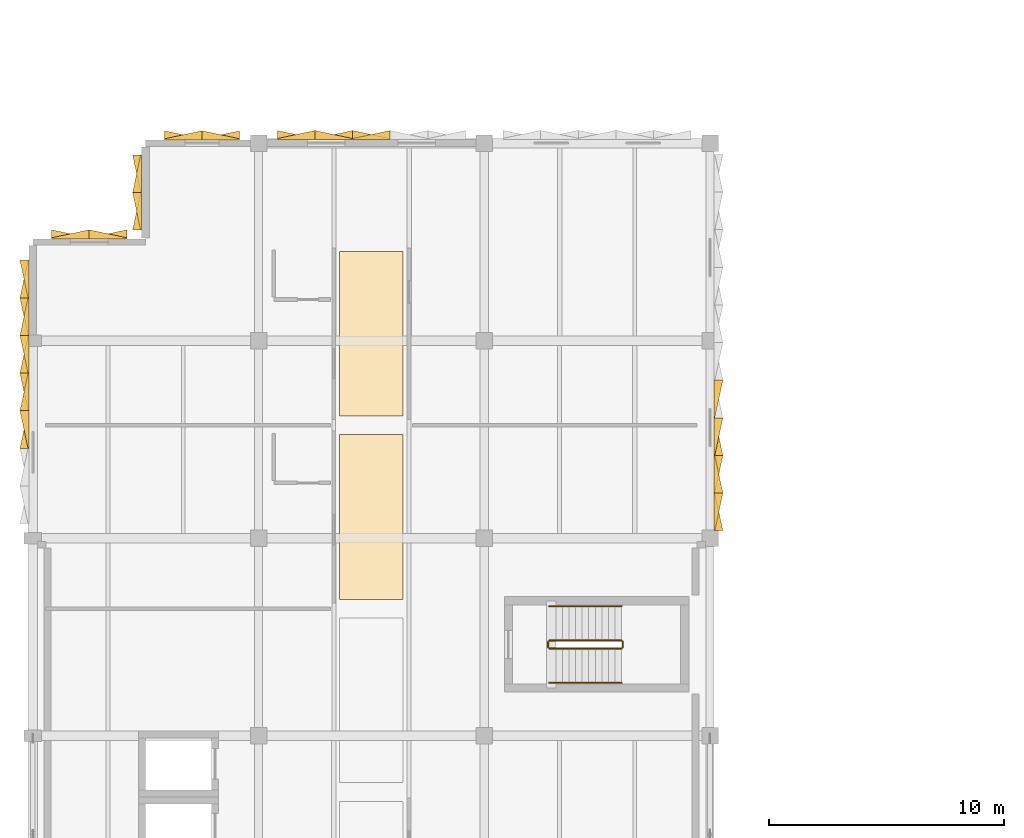
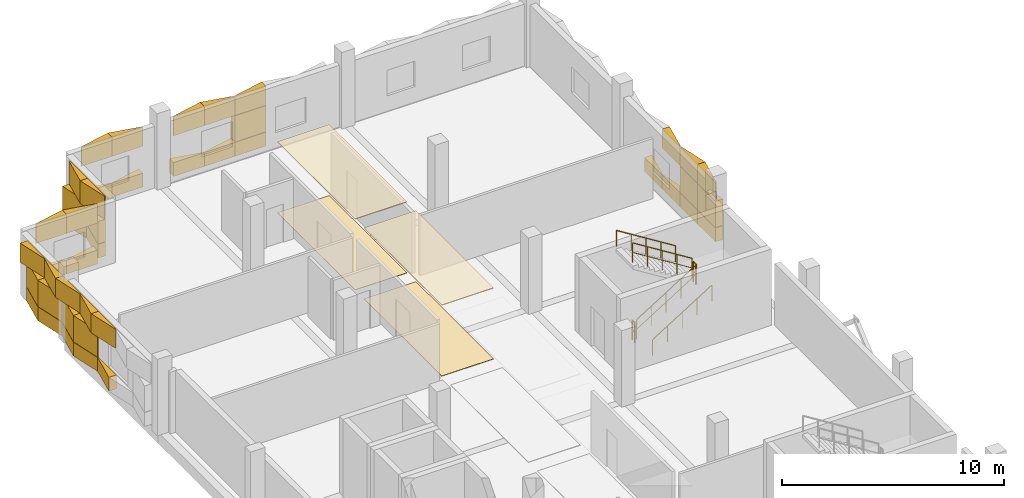
# One storey, part 19 of 24: 48 coverings, 6 railings.
"""IFC4 building model written with IfcOpenShell, lengths in metres."""

from ifc_helpers import new_model, si_unit, direction, frame, origin, origin_2d, place, context, subcontext, project, spatial, polyline, circle, outline, extrude, material, layer, layer_set, type_object, element, save


model = new_model("IFC4")

# Units and contexts
model_context = context("Model", 3, precision=1e-05, world=origin(), true_north=direction((0.0, 1.0)))
body_context = subcontext(model_context, "Body", "Model", "MODEL_VIEW")
ifc_project = project(units=[si_unit("LENGTHUNIT", "METRE"), si_unit("AREAUNIT", "SQUARE_METRE"), si_unit("VOLUMEUNIT", "CUBIC_METRE"), si_unit("PLANEANGLEUNIT", "RADIAN"), si_unit("MASSUNIT", "GRAM", prefix="KILO")], contexts=[model_context])

# Site, building, storey
site_placement = place(None, origin())
site = spatial("IfcSite", under=ifc_project, at=site_placement, CompositionType="ELEMENT")
building_placement = place(site_placement, origin())
building = spatial("IfcBuilding", under=site, at=building_placement, Name="Oolite Switchyard Hospital", CompositionType="ELEMENT")
storey_placement = place(building_placement, frame((0.0, 0.0, 22.0)))
storey = spatial("IfcBuildingStorey", under=building, at=storey_placement, Name="L05", CompositionType="ELEMENT", Elevation=22.0)

# Coverings
ifc_material_1 = material(Name="Hygienic washable mineral-fibre acoustic ceiling")
ifc_layer_1 = layer(ifc_material_1, 0.0400390625)
ifc_layer_set_1 = layer_set([ifc_layer_1], Name="COV-CEIL-AC60")
covering_type_1 = type_object("IfcCoveringType", Name="COV-CEIL-AC60", PredefinedType="CEILING", material=ifc_layer_set_1)
covering_1_placement = place(storey_placement, frame((0.0, 0.0, 3.885009765625)))
element("IfcCovering", 1, at=covering_1_placement, inside=storey, type_object=covering_type_1, Name="L05 West Cardiac Telemetry Ward Corridor Ceiling 4", PredefinedType="CEILING", context=body_context, shape_type="SweptSolid", body=[
    extrude(outline(polyline([(13.050048828125, 64.60009765625), (15.75, 64.60009765625), (15.75, 71.60009765625), (13.050048828125, 71.60009765625), (13.050048828125, 64.60009765625)])), origin(), (0.0, 0.0, 1.0), 0.0400390625),
])
covering_2_placement = place(storey_placement, frame((0.0, 0.0, 3.885009765625)))
element("IfcCovering", 2, at=covering_2_placement, inside=storey, type_object=covering_type_1, Name="L05 West Cardiac Telemetry Ward Corridor Ceiling 5", PredefinedType="CEILING", context=body_context, shape_type="SweptSolid", body=[
    extrude(outline(polyline([(13.050048828125, 72.39990234375), (15.75, 72.39990234375), (15.75, 79.39990234375), (13.050048828125, 79.39990234375), (13.050048828125, 72.39990234375)])), origin(), (0.0, 0.0, 1.0), 0.0400390625),
])
ifc_material_2 = material(Name="Precast oolitic limestone architectural concrete C40/50", Category="masonry")
covering_type_2 = type_object("IfcCoveringType", Name="COV-CHEV-WARM", PredefinedType="CLADDING", material=ifc_material_2)
covering_3_placement = place(storey_placement, frame((0.800048828125, 79.929931640625, 0.050048828125), z_axis=(0.0, 0.0, 1.0), x_axis=(1.0, 0.0, 0.0)))
element("IfcCovering", 3, at=covering_3_placement, inside=storey, type_object=covering_type_2, Name="L05 Chevron Precast Oolite Panel 1069", PredefinedType="CLADDING", context=body_context, shape_type="SweptSolid", body=[
    extrude(outline(polyline([(0.0, 0.0), (1.599853515625, 0.0), (1.599853515625, 0.044921875), (0.0, 0.385009765625), (0.0, 0.0)])), origin(), (0.0, 0.0, 1.0), 0.760009765625),
])
covering_4_placement = place(storey_placement, frame((0.800048828125, 79.929931640625, 2.2900390625), z_axis=(0.0, 0.0, 1.0), x_axis=(1.0, 0.0, 0.0)))
element("IfcCovering", 4, at=covering_4_placement, inside=storey, type_object=covering_type_2, Name="L05 Chevron Precast Oolite Panel 1070", PredefinedType="CLADDING", context=body_context, shape_type="SweptSolid", body=[
    extrude(outline(polyline([(0.0, 0.0), (1.599853515625, 0.0), (1.599853515625, 0.385009765625), (0.0, 0.044921875), (0.0, 0.0)])), origin(), (0.0, 0.0, 1.0), 1.050048828125),
])
covering_5_placement = place(storey_placement, frame((2.39990234375, 79.929931640625, 0.050048828125), z_axis=(0.0, 0.0, 1.0), x_axis=(1.0, 0.0, 0.0)))
element("IfcCovering", 5, at=covering_5_placement, inside=storey, type_object=covering_type_2, Name="L05 Chevron Precast Oolite Panel 1071", PredefinedType="CLADDING", context=body_context, shape_type="SweptSolid", body=[
    extrude(outline(polyline([(0.0, 0.0), (1.60009765625, 0.0), (1.60009765625, 0.385009765625), (0.0, 0.044921875), (0.0, 0.0)])), origin(), (0.0, 0.0, 1.0), 0.760009765625),
])
covering_6_placement = place(storey_placement, frame((2.39990234375, 79.929931640625, 2.2900390625), z_axis=(0.0, 0.0, 1.0), x_axis=(1.0, 0.0, 0.0)))
element("IfcCovering", 6, at=covering_6_placement, inside=storey, type_object=covering_type_2, Name="L05 Chevron Precast Oolite Panel 1072", PredefinedType="CLADDING", context=body_context, shape_type="SweptSolid", body=[
    extrude(outline(polyline([(0.0, 0.0), (1.60009765625, 0.0), (1.60009765625, 0.044921875), (0.0, 0.385009765625), (0.0, 0.0)])), origin(), (0.0, 0.0, 1.0), 1.050048828125),
])
covering_7_placement = place(storey_placement, frame((5.60009765625, 84.139892578125, 0.050048828125), z_axis=(0.0, 0.0, 1.0), x_axis=(1.0, 0.0, 0.0)))
element("IfcCovering", 7, at=covering_7_placement, inside=storey, type_object=covering_type_2, Name="L05 Chevron Precast Oolite Panel 1073", PredefinedType="CLADDING", context=body_context, shape_type="SweptSolid", body=[
    extrude(outline(polyline([(0.0, 0.0), (1.599853515625, 0.0), (1.599853515625, 0.044921875), (0.0, 0.385009765625), (0.0, 0.0)])), origin(), (0.0, 0.0, 1.0), 0.760009765625),
])
covering_8_placement = place(storey_placement, frame((5.60009765625, 84.139892578125, 2.2900390625), z_axis=(0.0, 0.0, 1.0), x_axis=(1.0, 0.0, 0.0)))
element("IfcCovering", 8, at=covering_8_placement, inside=storey, type_object=covering_type_2, Name="L05 Chevron Precast Oolite Panel 1074", PredefinedType="CLADDING", context=body_context, shape_type="SweptSolid", body=[
    extrude(outline(polyline([(0.0, 0.0), (1.599853515625, 0.0), (1.599853515625, 0.385009765625), (0.0, 0.044921875), (0.0, 0.0)])), origin(), (0.0, 0.0, 1.0), 1.050048828125),
])
covering_9_placement = place(storey_placement, frame((7.199951171875, 84.139892578125, 0.050048828125), z_axis=(0.0, 0.0, 1.0), x_axis=(1.0, 0.0, 0.0)))
element("IfcCovering", 9, at=covering_9_placement, inside=storey, type_object=covering_type_2, Name="L05 Chevron Precast Oolite Panel 1075", PredefinedType="CLADDING", context=body_context, shape_type="SweptSolid", body=[
    extrude(outline(polyline([(0.0, 0.0), (1.60009765625, 0.0), (1.60009765625, 0.385009765625), (0.0, 0.044921875), (0.0, 0.0)])), origin(), (0.0, 0.0, 1.0), 0.760009765625),
])
covering_10_placement = place(storey_placement, frame((7.199951171875, 84.139892578125, 2.2900390625), z_axis=(0.0, 0.0, 1.0), x_axis=(1.0, 0.0, 0.0)))
element("IfcCovering", 10, at=covering_10_placement, inside=storey, type_object=covering_type_2, Name="L05 Chevron Precast Oolite Panel 1076", PredefinedType="CLADDING", context=body_context, shape_type="SweptSolid", body=[
    extrude(outline(polyline([(0.0, 0.0), (1.60009765625, 0.0), (1.60009765625, 0.044921875), (0.0, 0.385009765625), (0.0, 0.0)])), origin(), (0.0, 0.0, 1.0), 1.050048828125),
])
covering_11_placement = place(storey_placement, frame((10.39990234375, 84.14990234375, 0.050048828125), z_axis=(0.0, 0.0, 1.0), x_axis=(1.0, 0.0, 0.0)))
element("IfcCovering", 11, at=covering_11_placement, inside=storey, type_object=covering_type_2, Name="L05 Chevron Precast Oolite Panel 1077", PredefinedType="CLADDING", context=body_context, shape_type="SweptSolid", body=[
    extrude(outline(polyline([(0.0, 0.0), (1.60009765625, 0.0), (1.60009765625, 0.044921875), (0.0, 0.385009765625), (0.0, 0.0)])), origin(), (0.0, 0.0, 1.0), 0.760009765625),
])
covering_12_placement = place(storey_placement, frame((10.39990234375, 84.14990234375, 2.2900390625), z_axis=(0.0, 0.0, 1.0), x_axis=(1.0, 0.0, 0.0)))
element("IfcCovering", 12, at=covering_12_placement, inside=storey, type_object=covering_type_2, Name="L05 Chevron Precast Oolite Panel 1078", PredefinedType="CLADDING", context=body_context, shape_type="SweptSolid", body=[
    extrude(outline(polyline([(0.0, 0.0), (1.60009765625, 0.0), (1.60009765625, 0.385009765625), (0.0, 0.044921875), (0.0, 0.0)])), origin(), (0.0, 0.0, 1.0), 1.050048828125),
])
covering_13_placement = place(storey_placement, frame((12.0, 84.14990234375, 0.050048828125), z_axis=(0.0, 0.0, 1.0), x_axis=(1.0, 0.0, 0.0)))
element("IfcCovering", 13, at=covering_13_placement, inside=storey, type_object=covering_type_2, Name="L05 Chevron Precast Oolite Panel 1079", PredefinedType="CLADDING", context=body_context, shape_type="SweptSolid", body=[
    extrude(outline(polyline([(0.0, 0.0), (1.60009765625, 0.0), (1.60009765625, 0.385009765625), (0.0, 0.044921875), (0.0, 0.0)])), origin(), (0.0, 0.0, 1.0), 0.760009765625),
])
covering_14_placement = place(storey_placement, frame((12.0, 84.14990234375, 2.2900390625), z_axis=(0.0, 0.0, 1.0), x_axis=(1.0, 0.0, 0.0)))
element("IfcCovering", 14, at=covering_14_placement, inside=storey, type_object=covering_type_2, Name="L05 Chevron Precast Oolite Panel 1080", PredefinedType="CLADDING", context=body_context, shape_type="SweptSolid", body=[
    extrude(outline(polyline([(0.0, 0.0), (1.60009765625, 0.0), (1.60009765625, 0.044921875), (0.0, 0.385009765625), (0.0, 0.0)])), origin(), (0.0, 0.0, 1.0), 1.050048828125),
])
covering_15_placement = place(storey_placement, frame((13.60009765625, 84.14990234375, 0.050048828125), z_axis=(0.0, 0.0, 1.0), x_axis=(1.0, 0.0, 0.0)))
element("IfcCovering", 15, at=covering_15_placement, inside=storey, type_object=covering_type_2, Name="L05 Chevron Precast Oolite Panel 1081", PredefinedType="CLADDING", context=body_context, shape_type="SweptSolid", body=[
    extrude(outline(polyline([(0.0, 0.0), (1.599853515625, 0.0), (1.599853515625, 0.044921875), (0.0, 0.385009765625), (0.0, 0.0)])), origin(), (0.0, 0.0, 1.0), 0.760009765625),
])
covering_16_placement = place(storey_placement, frame((13.60009765625, 84.14990234375, 2.2900390625), z_axis=(0.0, 0.0, 1.0), x_axis=(1.0, 0.0, 0.0)))
element("IfcCovering", 16, at=covering_16_placement, inside=storey, type_object=covering_type_2, Name="L05 Chevron Precast Oolite Panel 1082", PredefinedType="CLADDING", context=body_context, shape_type="SweptSolid", body=[
    extrude(outline(polyline([(0.0, 0.0), (1.599853515625, 0.0), (1.599853515625, 0.385009765625), (0.0, 0.044921875), (0.0, 0.0)])), origin(), (0.0, 0.0, 1.0), 1.050048828125),
])
covering_17_placement = place(storey_placement, frame((13.60009765625, 84.14990234375, 0.830078125), z_axis=(0.0, 0.0, 1.0), x_axis=(1.0, 0.0, 0.0)))
element("IfcCovering", 17, at=covering_17_placement, inside=storey, type_object=covering_type_2, Name="L05 Chevron Precast Oolite Panel 1083", PredefinedType="CLADDING", context=body_context, shape_type="SweptSolid", body=[
    extrude(outline(polyline([(0.0, 0.0), (1.599853515625, 0.0), (1.599853515625, 0.044921875), (0.0, 0.385009765625), (0.0, 0.0)])), origin(), (0.0, 0.0, 1.0), 1.43994140625),
])
covering_18_placement = place(storey_placement, frame((-0.159912109375, 71.02001953125, 0.050048828125), z_axis=(0.0, 0.0, 1.0), x_axis=(0.0, 1.0, 0.0)))
element("IfcCovering", 18, at=covering_18_placement, inside=storey, type_object=covering_type_2, Name="L05 Chevron Precast Oolite Panel 1244", PredefinedType="CLADDING", context=body_context, shape_type="SweptSolid", body=[
    extrude(outline(polyline([(0.0, 0.0), (1.60009765625, 0.0), (1.60009765625, 0.044921875), (0.0, 0.385009765625), (0.0, 0.0)])), origin(), (0.0, 0.0, 1.0), 0.760009765625),
])
covering_19_placement = place(storey_placement, frame((-0.159912109375, 71.02001953125, 2.2900390625), z_axis=(0.0, 0.0, 1.0), x_axis=(0.0, 1.0, 0.0)))
element("IfcCovering", 19, at=covering_19_placement, inside=storey, type_object=covering_type_2, Name="L05 Chevron Precast Oolite Panel 1245", PredefinedType="CLADDING", context=body_context, shape_type="SweptSolid", body=[
    extrude(outline(polyline([(0.0, 0.0), (1.60009765625, 0.0), (1.60009765625, 0.385009765625), (0.0, 0.044921875), (0.0, 0.0)])), origin(), (0.0, 0.0, 1.0), 1.050048828125),
])
covering_20_placement = place(storey_placement, frame((-0.159912109375, 72.6201171875, 0.050048828125), z_axis=(0.0, 0.0, 1.0), x_axis=(0.0, 1.0, 0.0)))
element("IfcCovering", 20, at=covering_20_placement, inside=storey, type_object=covering_type_2, Name="L05 Chevron Precast Oolite Panel 1246", PredefinedType="CLADDING", context=body_context, shape_type="SweptSolid", body=[
    extrude(outline(polyline([(0.0, 0.0), (1.599853515625, 0.0), (1.599853515625, 0.385009765625), (0.0, 0.044921875), (0.0, 0.0)])), origin(), (0.0, 0.0, 1.0), 0.760009765625),
])
covering_21_placement = place(storey_placement, frame((-0.159912109375, 72.6201171875, 2.2900390625), z_axis=(0.0, 0.0, 1.0), x_axis=(0.0, 1.0, 0.0)))
element("IfcCovering", 21, at=covering_21_placement, inside=storey, type_object=covering_type_2, Name="L05 Chevron Precast Oolite Panel 1247", PredefinedType="CLADDING", context=body_context, shape_type="SweptSolid", body=[
    extrude(outline(polyline([(0.0, 0.0), (1.599853515625, 0.0), (1.599853515625, 0.044921875), (0.0, 0.385009765625), (0.0, 0.0)])), origin(), (0.0, 0.0, 1.0), 1.050048828125),
])
covering_22_placement = place(storey_placement, frame((-0.159912109375, 72.6201171875, 0.830078125), z_axis=(0.0, 0.0, 1.0), x_axis=(0.0, 1.0, 0.0)))
element("IfcCovering", 22, at=covering_22_placement, inside=storey, type_object=covering_type_2, Name="L05 Chevron Precast Oolite Panel 1248", PredefinedType="CLADDING", context=body_context, shape_type="SweptSolid", body=[
    extrude(outline(polyline([(0.0, 0.0), (1.599853515625, 0.0), (1.599853515625, 0.385009765625), (0.0, 0.044921875), (0.0, 0.0)])), origin(), (0.0, 0.0, 1.0), 1.43994140625),
])
covering_23_placement = place(storey_placement, frame((-0.159912109375, 74.219970703125, 0.050048828125), z_axis=(0.0, 0.0, 1.0), x_axis=(0.0, 1.0, 0.0)))
element("IfcCovering", 23, at=covering_23_placement, inside=storey, type_object=covering_type_2, Name="L05 Chevron Precast Oolite Panel 1249", PredefinedType="CLADDING", context=body_context, shape_type="SweptSolid", body=[
    extrude(outline(polyline([(0.0, 0.0), (1.60009765625, 0.0), (1.60009765625, 0.044921875), (0.0, 0.385009765625), (0.0, 0.0)])), origin(), (0.0, 0.0, 1.0), 0.760009765625),
])
covering_24_placement = place(storey_placement, frame((-0.159912109375, 74.219970703125, 2.2900390625), z_axis=(0.0, 0.0, 1.0), x_axis=(0.0, 1.0, 0.0)))
element("IfcCovering", 24, at=covering_24_placement, inside=storey, type_object=covering_type_2, Name="L05 Chevron Precast Oolite Panel 1250", PredefinedType="CLADDING", context=body_context, shape_type="SweptSolid", body=[
    extrude(outline(polyline([(0.0, 0.0), (1.60009765625, 0.0), (1.60009765625, 0.385009765625), (0.0, 0.044921875), (0.0, 0.0)])), origin(), (0.0, 0.0, 1.0), 1.050048828125),
])
covering_25_placement = place(storey_placement, frame((-0.159912109375, 74.219970703125, 0.830078125), z_axis=(0.0, 0.0, 1.0), x_axis=(0.0, 1.0, 0.0)))
element("IfcCovering", 25, at=covering_25_placement, inside=storey, type_object=covering_type_2, Name="L05 Chevron Precast Oolite Panel 1251", PredefinedType="CLADDING", context=body_context, shape_type="SweptSolid", body=[
    extrude(outline(polyline([(0.0, 0.0), (1.60009765625, 0.0), (1.60009765625, 0.044921875), (0.0, 0.385009765625), (0.0, 0.0)])), origin(), (0.0, 0.0, 1.0), 1.43994140625),
])
covering_26_placement = place(storey_placement, frame((-0.159912109375, 75.820068359375, 0.050048828125), z_axis=(0.0, 0.0, 1.0), x_axis=(0.0, 1.0, 0.0)))
element("IfcCovering", 26, at=covering_26_placement, inside=storey, type_object=covering_type_2, Name="L05 Chevron Precast Oolite Panel 1252", PredefinedType="CLADDING", context=body_context, shape_type="SweptSolid", body=[
    extrude(outline(polyline([(0.0, 0.0), (1.599853515625, 0.0), (1.599853515625, 0.385009765625), (0.0, 0.044921875), (0.0, 0.0)])), origin(), (0.0, 0.0, 1.0), 0.760009765625),
])
covering_27_placement = place(storey_placement, frame((-0.159912109375, 75.820068359375, 2.2900390625), z_axis=(0.0, 0.0, 1.0), x_axis=(0.0, 1.0, 0.0)))
element("IfcCovering", 27, at=covering_27_placement, inside=storey, type_object=covering_type_2, Name="L05 Chevron Precast Oolite Panel 1253", PredefinedType="CLADDING", context=body_context, shape_type="SweptSolid", body=[
    extrude(outline(polyline([(0.0, 0.0), (1.599853515625, 0.0), (1.599853515625, 0.044921875), (0.0, 0.385009765625), (0.0, 0.0)])), origin(), (0.0, 0.0, 1.0), 1.050048828125),
])
covering_28_placement = place(storey_placement, frame((-0.159912109375, 75.820068359375, 0.830078125), z_axis=(0.0, 0.0, 1.0), x_axis=(0.0, 1.0, 0.0)))
element("IfcCovering", 28, at=covering_28_placement, inside=storey, type_object=covering_type_2, Name="L05 Chevron Precast Oolite Panel 1254", PredefinedType="CLADDING", context=body_context, shape_type="SweptSolid", body=[
    extrude(outline(polyline([(0.0, 0.0), (1.599853515625, 0.0), (1.599853515625, 0.385009765625), (0.0, 0.044921875), (0.0, 0.0)])), origin(), (0.0, 0.0, 1.0), 1.43994140625),
])
covering_29_placement = place(storey_placement, frame((-0.159912109375, 77.419921875, 0.050048828125), z_axis=(0.0, 0.0, 1.0), x_axis=(0.0, 1.0, 0.0)))
element("IfcCovering", 29, at=covering_29_placement, inside=storey, type_object=covering_type_2, Name="L05 Chevron Precast Oolite Panel 1255", PredefinedType="CLADDING", context=body_context, shape_type="SweptSolid", body=[
    extrude(outline(polyline([(0.0, 0.0), (1.60009765625, 0.0), (1.60009765625, 0.044921875), (0.0, 0.385009765625), (0.0, 0.0)])), origin(), (0.0, 0.0, 1.0), 0.760009765625),
])
covering_30_placement = place(storey_placement, frame((-0.159912109375, 77.419921875, 2.2900390625), z_axis=(0.0, 0.0, 1.0), x_axis=(0.0, 1.0, 0.0)))
element("IfcCovering", 30, at=covering_30_placement, inside=storey, type_object=covering_type_2, Name="L05 Chevron Precast Oolite Panel 1256", PredefinedType="CLADDING", context=body_context, shape_type="SweptSolid", body=[
    extrude(outline(polyline([(0.0, 0.0), (1.60009765625, 0.0), (1.60009765625, 0.385009765625), (0.0, 0.044921875), (0.0, 0.0)])), origin(), (0.0, 0.0, 1.0), 1.050048828125),
])
covering_31_placement = place(storey_placement, frame((-0.159912109375, 77.419921875, 0.830078125), z_axis=(0.0, 0.0, 1.0), x_axis=(0.0, 1.0, 0.0)))
element("IfcCovering", 31, at=covering_31_placement, inside=storey, type_object=covering_type_2, Name="L05 Chevron Precast Oolite Panel 1257", PredefinedType="CLADDING", context=body_context, shape_type="SweptSolid", body=[
    extrude(outline(polyline([(0.0, 0.0), (1.60009765625, 0.0), (1.60009765625, 0.044921875), (0.0, 0.385009765625), (0.0, 0.0)])), origin(), (0.0, 0.0, 1.0), 1.43994140625),
])
covering_32_placement = place(storey_placement, frame((4.6298828125, 80.300048828125, 0.050048828125), z_axis=(0.0, 0.0, 1.0), x_axis=(0.0, 1.0, 0.0)))
element("IfcCovering", 32, at=covering_32_placement, inside=storey, type_object=covering_type_2, Name="L05 Chevron Precast Oolite Panel 1258", PredefinedType="CLADDING", context=body_context, shape_type="SweptSolid", body=[
    extrude(outline(polyline([(0.0, 0.0), (1.599853515625, 0.0), (1.599853515625, 0.044921875), (0.0, 0.385009765625), (0.0, 0.0)])), origin(), (0.0, 0.0, 1.0), 0.760009765625),
])
covering_33_placement = place(storey_placement, frame((4.6298828125, 80.300048828125, 2.090087890625), z_axis=(0.0, 0.0, 1.0), x_axis=(0.0, 1.0, 0.0)))
element("IfcCovering", 33, at=covering_33_placement, inside=storey, type_object=covering_type_2, Name="L05 Chevron Precast Oolite Panel 1259", PredefinedType="CLADDING", context=body_context, shape_type="SweptSolid", body=[
    extrude(outline(polyline([(0.0, 0.0), (1.599853515625, 0.0), (1.599853515625, 0.385009765625), (0.0, 0.044921875), (0.0, 0.0)])), origin(), (0.0, 0.0, 1.0), 1.25),
])
covering_34_placement = place(storey_placement, frame((4.6298828125, 80.300048828125, 0.830078125), z_axis=(0.0, 0.0, 1.0), x_axis=(0.0, 1.0, 0.0)))
element("IfcCovering", 34, at=covering_34_placement, inside=storey, type_object=covering_type_2, Name="L05 Chevron Precast Oolite Panel 1260", PredefinedType="CLADDING", context=body_context, shape_type="SweptSolid", body=[
    extrude(outline(polyline([(0.0, 0.0), (1.599853515625, 0.0), (1.599853515625, 0.044921875), (0.0, 0.385009765625), (0.0, 0.0)])), origin(), (0.0, 0.0, 1.0), 1.239990234375),
])
covering_35_placement = place(storey_placement, frame((4.6298828125, 81.89990234375, 0.050048828125), z_axis=(0.0, 0.0, 1.0), x_axis=(0.0, 1.0, 0.0)))
element("IfcCovering", 35, at=covering_35_placement, inside=storey, type_object=covering_type_2, Name="L05 Chevron Precast Oolite Panel 1261", PredefinedType="CLADDING", context=body_context, shape_type="SweptSolid", body=[
    extrude(outline(polyline([(0.0, 0.0), (1.60009765625, 0.0), (1.60009765625, 0.385009765625), (0.0, 0.044921875), (0.0, 0.0)])), origin(), (0.0, 0.0, 1.0), 0.760009765625),
])
covering_36_placement = place(storey_placement, frame((4.6298828125, 81.89990234375, 2.090087890625), z_axis=(0.0, 0.0, 1.0), x_axis=(0.0, 1.0, 0.0)))
element("IfcCovering", 36, at=covering_36_placement, inside=storey, type_object=covering_type_2, Name="L05 Chevron Precast Oolite Panel 1262", PredefinedType="CLADDING", context=body_context, shape_type="SweptSolid", body=[
    extrude(outline(polyline([(0.0, 0.0), (1.60009765625, 0.0), (1.60009765625, 0.044921875), (0.0, 0.385009765625), (0.0, 0.0)])), origin(), (0.0, 0.0, 1.0), 1.25),
])
covering_37_placement = place(storey_placement, frame((4.6298828125, 81.89990234375, 0.830078125), z_axis=(0.0, 0.0, 1.0), x_axis=(0.0, 1.0, 0.0)))
element("IfcCovering", 37, at=covering_37_placement, inside=storey, type_object=covering_type_2, Name="L05 Chevron Precast Oolite Panel 1263", PredefinedType="CLADDING", context=body_context, shape_type="SweptSolid", body=[
    extrude(outline(polyline([(0.0, 0.0), (1.60009765625, 0.0), (1.60009765625, 0.385009765625), (0.0, 0.044921875), (0.0, 0.0)])), origin(), (0.0, 0.0, 1.0), 1.239990234375),
])
covering_38_placement = place(storey_placement, frame((28.9599609375, 73.919921875, 0.050048828125), z_axis=(0.0, 0.0, 1.0), x_axis=(0.0, -1.0, 0.0)))
element("IfcCovering", 38, at=covering_38_placement, inside=storey, type_object=covering_type_2, Name="L05 Chevron Precast Oolite Panel 1280", PredefinedType="CLADDING", context=body_context, shape_type="SweptSolid", body=[
    extrude(outline(polyline([(0.0, 0.0), (1.599853515625, 0.0), (1.599853515625, 0.044921875), (0.0, 0.385009765625), (0.0, 0.0)])), origin(), (0.0, 0.0, 1.0), 0.760009765625),
])
covering_39_placement = place(storey_placement, frame((28.9599609375, 72.320068359375, 0.050048828125), z_axis=(0.0, 0.0, 1.0), x_axis=(0.0, -1.0, 0.0)))
element("IfcCovering", 39, at=covering_39_placement, inside=storey, type_object=covering_type_2, Name="L05 Chevron Precast Oolite Panel 1282", PredefinedType="CLADDING", context=body_context, shape_type="SweptSolid", body=[
    extrude(outline(polyline([(0.0, 0.0), (1.60009765625, 0.0), (1.60009765625, 0.385009765625), (0.0, 0.044921875), (0.0, 0.0)])), origin(), (0.0, 0.0, 1.0), 0.760009765625),
])
covering_40_placement = place(storey_placement, frame((28.9599609375, 72.320068359375, 2.2900390625), z_axis=(0.0, 0.0, 1.0), x_axis=(0.0, -1.0, 0.0)))
element("IfcCovering", 40, at=covering_40_placement, inside=storey, type_object=covering_type_2, Name="L05 Chevron Precast Oolite Panel 1283", PredefinedType="CLADDING", context=body_context, shape_type="SweptSolid", body=[
    extrude(outline(polyline([(0.0, 0.0), (1.60009765625, 0.0), (1.60009765625, 0.044921875), (0.0, 0.385009765625), (0.0, 0.0)])), origin(), (0.0, 0.0, 1.0), 1.050048828125),
])
covering_41_placement = place(storey_placement, frame((28.9599609375, 70.719970703125, 0.050048828125), z_axis=(0.0, 0.0, 1.0), x_axis=(0.0, -1.0, 0.0)))
element("IfcCovering", 41, at=covering_41_placement, inside=storey, type_object=covering_type_2, Name="L05 Chevron Precast Oolite Panel 1284", PredefinedType="CLADDING", context=body_context, shape_type="SweptSolid", body=[
    extrude(outline(polyline([(0.0, 0.0), (1.599853515625, 0.0), (1.599853515625, 0.044921875), (0.0, 0.385009765625), (0.0, 0.0)])), origin(), (0.0, 0.0, 1.0), 0.760009765625),
])
covering_42_placement = place(storey_placement, frame((28.9599609375, 70.719970703125, 2.2900390625), z_axis=(0.0, 0.0, 1.0), x_axis=(0.0, -1.0, 0.0)))
element("IfcCovering", 42, at=covering_42_placement, inside=storey, type_object=covering_type_2, Name="L05 Chevron Precast Oolite Panel 1285", PredefinedType="CLADDING", context=body_context, shape_type="SweptSolid", body=[
    extrude(outline(polyline([(0.0, 0.0), (1.599853515625, 0.0), (1.599853515625, 0.385009765625), (0.0, 0.044921875), (0.0, 0.0)])), origin(), (0.0, 0.0, 1.0), 1.050048828125),
])
covering_43_placement = place(storey_placement, frame((28.9599609375, 70.719970703125, 0.830078125), z_axis=(0.0, 0.0, 1.0), x_axis=(0.0, -1.0, 0.0)))
element("IfcCovering", 43, at=covering_43_placement, inside=storey, type_object=covering_type_2, Name="L05 Chevron Precast Oolite Panel 1286", PredefinedType="CLADDING", context=body_context, shape_type="SweptSolid", body=[
    extrude(outline(polyline([(0.0, 0.0), (1.599853515625, 0.0), (1.599853515625, 0.044921875), (0.0, 0.385009765625), (0.0, 0.0)])), origin(), (0.0, 0.0, 1.0), 1.43994140625),
])
covering_44_placement = place(storey_placement, frame((28.9599609375, 69.1201171875, 0.050048828125), z_axis=(0.0, 0.0, 1.0), x_axis=(0.0, -1.0, 0.0)))
element("IfcCovering", 44, at=covering_44_placement, inside=storey, type_object=covering_type_2, Name="L05 Chevron Precast Oolite Panel 1287", PredefinedType="CLADDING", context=body_context, shape_type="SweptSolid", body=[
    extrude(outline(polyline([(0.0, 0.0), (1.60009765625, 0.0), (1.60009765625, 0.385009765625), (0.0, 0.044921875), (0.0, 0.0)])), origin(), (0.0, 0.0, 1.0), 0.760009765625),
])
covering_45_placement = place(storey_placement, frame((28.9599609375, 69.1201171875, 2.2900390625), z_axis=(0.0, 0.0, 1.0), x_axis=(0.0, -1.0, 0.0)))
element("IfcCovering", 45, at=covering_45_placement, inside=storey, type_object=covering_type_2, Name="L05 Chevron Precast Oolite Panel 1288", PredefinedType="CLADDING", context=body_context, shape_type="SweptSolid", body=[
    extrude(outline(polyline([(0.0, 0.0), (1.60009765625, 0.0), (1.60009765625, 0.044921875), (0.0, 0.385009765625), (0.0, 0.0)])), origin(), (0.0, 0.0, 1.0), 1.050048828125),
])
covering_46_placement = place(storey_placement, frame((28.9599609375, 69.1201171875, 0.830078125), z_axis=(0.0, 0.0, 1.0), x_axis=(0.0, -1.0, 0.0)))
element("IfcCovering", 46, at=covering_46_placement, inside=storey, type_object=covering_type_2, Name="L05 Chevron Precast Oolite Panel 1289", PredefinedType="CLADDING", context=body_context, shape_type="SweptSolid", body=[
    extrude(outline(polyline([(0.0, 0.0), (1.60009765625, 0.0), (1.60009765625, 0.385009765625), (0.0, 0.044921875), (0.0, 0.0)])), origin(), (0.0, 0.0, 1.0), 1.43994140625),
])
ifc_material_3 = material(Name="Epoxy terrazzo seamless clinical flooring")
ifc_layer_2 = layer(ifc_material_3, 0.02001953125)
ifc_layer_set_2 = layer_set([ifc_layer_2], Name="COV-FLR-TER20")
covering_type_3 = type_object("IfcCoveringType", Name="COV-FLR-TER20", PredefinedType="FLOORING", material=ifc_layer_set_2)
covering_47_placement = place(storey_placement, origin())
element("IfcCovering", 47, at=covering_47_placement, inside=storey, type_object=covering_type_3, Name="L05 West Cardiac Telemetry Ward Corridor Flooring 4", PredefinedType="FLOORING", context=body_context, shape_type="SweptSolid", body=[
    extrude(outline(polyline([(13.050048828125, 64.60009765625), (15.75, 64.60009765625), (15.75, 71.60009765625), (13.050048828125, 71.60009765625), (13.050048828125, 64.60009765625)])), origin(), (0.0, 0.0, 1.0), 0.02001953125),
])
covering_48_placement = place(storey_placement, origin())
element("IfcCovering", 48, at=covering_48_placement, inside=storey, type_object=covering_type_3, Name="L05 West Cardiac Telemetry Ward Corridor Flooring 5", PredefinedType="FLOORING", context=body_context, shape_type="SweptSolid", body=[
    extrude(outline(polyline([(13.050048828125, 72.39990234375), (15.75, 72.39990234375), (15.75, 79.39990234375), (13.050048828125, 79.39990234375), (13.050048828125, 72.39990234375)])), origin(), (0.0, 0.0, 1.0), 0.02001953125),
])

# Railings
ifc_material_4 = material(Name="Galvanized painted architectural steel handrail", Category="steel")
railing_type_1 = type_object("IfcRailingType", Name="RL-STAIR-GRD", PredefinedType="GUARDRAIL", material=ifc_material_4)
railing_1_placement = place(storey_placement, frame((21.9599609375, 62.510009765625, 0.175048828125)))
element("IfcRailing", 49, at=railing_1_placement, inside=storey, type_object=railing_type_1, Name="L05 ST-02 stair guard 1", PredefinedType="GUARDRAIL", context=body_context, shape_type="SweptSolid", body=[
    extrude(circle(Radius=0.02392578125, at=origin_2d()), frame((0.0, 0.0, 1.076171875), z_axis=(0.847998304005, 0.0, 0.529998940003), x_axis=(0.0, 1.0, 0.0)), (0.0, 0.0, 1.0), 3.632080078125),
    extrude(circle(Radius=0.015625, at=origin_2d()), frame((0.0, 0.0, 0.550048828125), z_axis=(0.847998304005, 0.0, 0.529998940003), x_axis=(0.0, 1.0, 0.0)), (0.0, 0.0, 1.0), 3.632080078125),
    extrude(circle(Radius=0.02099609375, at=origin_2d()), origin(), (0.0, 0.0, 1.0), 1.052001953125),
    extrude(circle(Radius=0.02099609375, at=origin_2d()), frame((0.77001953125, 0.0, 0.481201171875)), (0.0, 0.0, 1.0), 1.052001953125),
    extrude(circle(Radius=0.02099609375, at=origin_2d()), frame((1.5400390625, 0.0, 0.96240234375)), (0.0, 0.0, 1.0), 1.052001953125),
    extrude(circle(Radius=0.02099609375, at=origin_2d()), frame((2.31005859375, 0.0, 1.44384765625)), (0.0, 0.0, 1.0), 1.052001953125),
    extrude(circle(Radius=0.02099609375, at=origin_2d()), frame((3.080078125, 0.0, 1.925048828125)), (0.0, 0.0, 1.0), 1.052001953125),
])
railing_2_placement = place(storey_placement, frame((25.090087890625, 62.56005859375, 2.10009765625)))
element("IfcRailing", 50, at=railing_2_placement, inside=storey, type_object=railing_type_1, Name="L05 ST-02 stair guard 2", PredefinedType="GUARDRAIL", context=body_context, shape_type="SweptSolid", body=[
    extrude(circle(Radius=0.02392578125, at=origin_2d()), frame((0.0, 0.0, 1.076171875), z_axis=(0.0, 1.0, 0.0), x_axis=(-1.0, 0.0, 0.0)), (0.0, 0.0, 1.0), 0.239990234375),
    extrude(circle(Radius=0.015625, at=origin_2d()), frame((0.0, 0.0, 0.550048828125), z_axis=(0.0, 1.0, 0.0), x_axis=(-1.0, 0.0, 0.0)), (0.0, 0.0, 1.0), 0.239990234375),
    extrude(circle(Radius=0.02099609375, at=origin_2d()), origin(), (0.0, 0.0, 1.0), 1.052001953125),
    extrude(circle(Radius=0.02099609375, at=origin_2d()), frame((0.0, 0.239990234375, 0.0)), (0.0, 0.0, 1.0), 1.052001953125),
])
railing_3_placement = place(storey_placement, frame((25.0400390625, 62.85009765625, 2.27490234375)))
element("IfcRailing", 51, at=railing_3_placement, inside=storey, type_object=railing_type_1, Name="L05 ST-02 stair guard 3", PredefinedType="GUARDRAIL", context=body_context, shape_type="SweptSolid", body=[
    extrude(circle(Radius=0.02392578125, at=origin_2d()), frame((0.0, 0.0, 1.076171875), z_axis=(-0.847998304005, 0.0, 0.529998940003), x_axis=(0.0, -1.0, 0.0)), (0.0, 0.0, 1.0), 3.632080078125),
    extrude(circle(Radius=0.015625, at=origin_2d()), frame((0.0, 0.0, 0.550048828125), z_axis=(-0.847998304005, 0.0, 0.529998940003), x_axis=(0.0, -1.0, 0.0)), (0.0, 0.0, 1.0), 3.632080078125),
    extrude(circle(Radius=0.02099609375, at=origin_2d()), origin(), (0.0, 0.0, 1.0), 1.052001953125),
    extrude(circle(Radius=0.02099609375, at=origin_2d()), frame((-0.77001953125, 0.0, 0.481201171875)), (0.0, 0.0, 1.0), 1.052001953125),
    extrude(circle(Radius=0.02099609375, at=origin_2d()), frame((-1.5400390625, 0.0, 0.96240234375)), (0.0, 0.0, 1.0), 1.052001953125),
    extrude(circle(Radius=0.02099609375, at=origin_2d()), frame((-2.31005859375, 0.0, 1.44384765625)), (0.0, 0.0, 1.0), 1.052001953125),
    extrude(circle(Radius=0.02099609375, at=origin_2d()), frame((-3.080078125, 0.0, 1.925048828125)), (0.0, 0.0, 1.0), 1.052001953125),
])
railing_4_placement = place(storey_placement, frame((21.909912109375, 62.56005859375, 0.0)))
element("IfcRailing", 52, at=railing_4_placement, inside=storey, type_object=railing_type_1, Name="L05 ST-02 stair guard 4", PredefinedType="GUARDRAIL", context=body_context, shape_type="SweptSolid", body=[
    extrude(circle(Radius=0.02392578125, at=origin_2d()), frame((0.0, 0.0, 1.076171875), z_axis=(0.0, 1.0, 0.0), x_axis=(-1.0, 0.0, 0.0)), (0.0, 0.0, 1.0), 0.239990234375),
    extrude(circle(Radius=0.015625, at=origin_2d()), frame((0.0, 0.0, 0.550048828125), z_axis=(0.0, 1.0, 0.0), x_axis=(-1.0, 0.0, 0.0)), (0.0, 0.0, 1.0), 0.239990234375),
    extrude(circle(Radius=0.02099609375, at=origin_2d()), origin(), (0.0, 0.0, 1.0), 1.052001953125),
    extrude(circle(Radius=0.02099609375, at=origin_2d()), frame((0.0, 0.239990234375, 0.0)), (0.0, 0.0, 1.0), 1.052001953125),
])
railing_type_2 = type_object("IfcRailingType", Name="RL-STAIR-HND", PredefinedType="HANDRAIL", material=ifc_material_4)
railing_5_placement = place(storey_placement, frame((21.9599609375, 61.050048828125, 0.175048828125)))
element("IfcRailing", 53, at=railing_5_placement, inside=storey, type_object=railing_type_2, Name="L05 ST-02 stair handrail 1", PredefinedType="HANDRAIL", context=body_context, shape_type="SweptSolid", body=[
    extrude(circle(Radius=0.02392578125, at=origin_2d()), frame((0.0, 0.0, 0.8759765625), z_axis=(0.847998304005, 0.0, 0.529998940003), x_axis=(0.0, 1.0, 0.0)), (0.0, 0.0, 1.0), 3.632080078125),
    extrude(circle(Radius=0.02099609375, at=origin_2d()), origin(), (0.0, 0.0, 1.0), 0.851806640625),
    extrude(circle(Radius=0.02099609375, at=origin_2d()), frame((0.77001953125, 0.0, 0.481201171875)), (0.0, 0.0, 1.0), 0.851806640625),
    extrude(circle(Radius=0.02099609375, at=origin_2d()), frame((1.5400390625, 0.0, 0.96240234375)), (0.0, 0.0, 1.0), 0.851806640625),
    extrude(circle(Radius=0.02099609375, at=origin_2d()), frame((2.31005859375, 0.0, 1.44384765625)), (0.0, 0.0, 1.0), 0.851806640625),
    extrude(circle(Radius=0.02099609375, at=origin_2d()), frame((3.080078125, 0.0, 1.925048828125)), (0.0, 0.0, 1.0), 0.851806640625),
])
railing_6_placement = place(storey_placement, frame((25.0400390625, 64.31005859375, 2.27490234375)))
element("IfcRailing", 54, at=railing_6_placement, inside=storey, type_object=railing_type_2, Name="L05 ST-02 stair handrail 2", PredefinedType="HANDRAIL", context=body_context, shape_type="SweptSolid", body=[
    extrude(circle(Radius=0.02392578125, at=origin_2d()), frame((0.0, 0.0, 0.8759765625), z_axis=(-0.847998304005, 0.0, 0.529998940003), x_axis=(0.0, -1.0, 0.0)), (0.0, 0.0, 1.0), 3.632080078125),
    extrude(circle(Radius=0.02099609375, at=origin_2d()), origin(), (0.0, 0.0, 1.0), 0.851806640625),
    extrude(circle(Radius=0.02099609375, at=origin_2d()), frame((-0.77001953125, 0.0, 0.481201171875)), (0.0, 0.0, 1.0), 0.851806640625),
    extrude(circle(Radius=0.02099609375, at=origin_2d()), frame((-1.5400390625, 0.0, 0.96240234375)), (0.0, 0.0, 1.0), 0.851806640625),
    extrude(circle(Radius=0.02099609375, at=origin_2d()), frame((-2.31005859375, 0.0, 1.44384765625)), (0.0, 0.0, 1.0), 0.851806640625),
    extrude(circle(Radius=0.02099609375, at=origin_2d()), frame((-3.080078125, 0.0, 1.925048828125)), (0.0, 0.0, 1.0), 0.851806640625),
])

save(model, "model.ifc")
